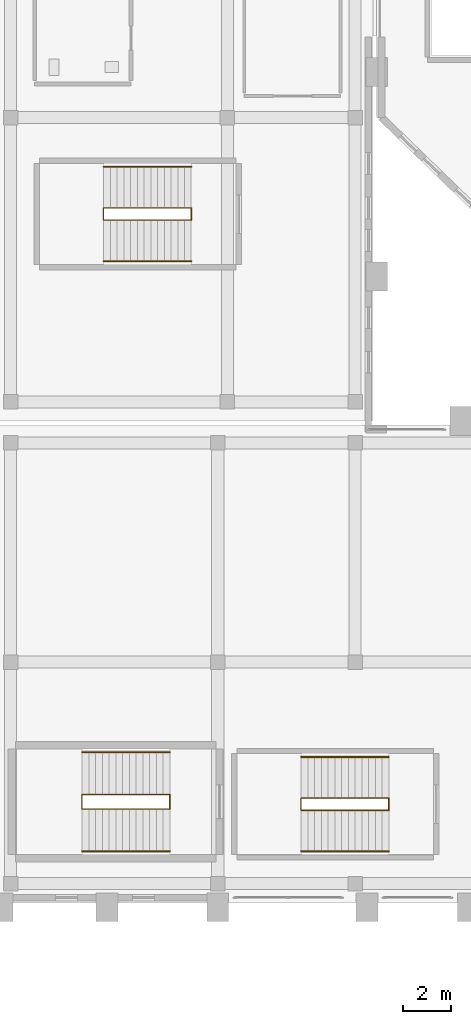
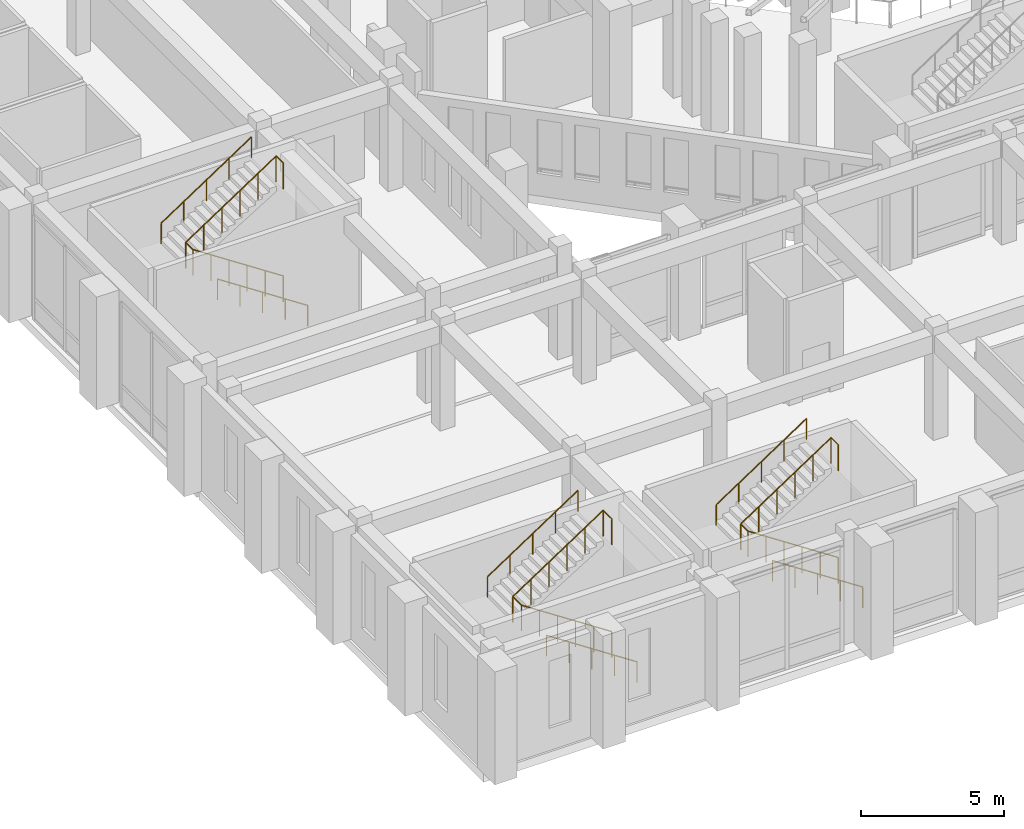
# One storey, part 109 of 126: 12 railings.
"""IFC4 building model written with IfcOpenShell, lengths in metres."""

from ifc_helpers import new_model, si_unit, derived_unit, direction, frame, origin, origin_2d, place, context, subcontext, project, spatial, circle, extrude, material, type_object, element, save


model = new_model("IFC4")

# Units and contexts
model_context = context("Model", 3, precision=1e-05, world=origin(), true_north=direction((0.0, 1.0)))
body_context = subcontext(model_context, "Body", "Model", "MODEL_VIEW")
ifc_project = project(units=[si_unit("LENGTHUNIT", "METRE"), si_unit("AREAUNIT", "SQUARE_METRE"), si_unit("VOLUMEUNIT", "CUBIC_METRE"), si_unit("PLANEANGLEUNIT", "RADIAN"), si_unit("MASSUNIT", "GRAM", prefix="KILO"), derived_unit("THERMALTRANSMITTANCEUNIT", [(si_unit("MASSUNIT", "GRAM", prefix="KILO"), 1), (si_unit("TIMEUNIT", "SECOND"), -3), (si_unit("THERMODYNAMICTEMPERATUREUNIT", "KELVIN"), -1)])], contexts=[model_context])

# Site, building, storey
site_placement = place(None, origin())
site = spatial("IfcSite", under=ifc_project, at=site_placement, CompositionType="ELEMENT")
building_placement = place(site_placement, origin())
building = spatial("IfcBuilding", under=site, at=building_placement, Name="Valcora Ridge Arena", CompositionType="ELEMENT")
storey_placement = place(building_placement, frame((0.0, 0.0, 11.39990234375)))
storey = spatial("IfcBuildingStorey", under=building, at=storey_placement, Name="L02", CompositionType="ELEMENT", Elevation=11.39990234375)

# Railings
ifc_material = material(Name="Galvanized painted steel ASTM A500 Grade B", Category="steel")
railing_type_1 = type_object("IfcRailingType", Name="TY-RAILING-GRD-STAIR-1120", PredefinedType="GUARDRAIL", material=ifc_material)
railing_1_placement = place(storey_placement, frame((7.409912109375, 3.89990234375, 0.0)))
element("IfcRailing", 1, at=railing_1_placement, inside=storey, type_object=railing_type_1, Name="GRD-STAIR-1120 RAL-SG-0065", PredefinedType="GUARDRAIL", context=body_context, shape_type="SweptSolid", body=[
    extrude(circle(Radius=0.02392578125, at=origin_2d()), frame((0.0, 0.0, 1.09619140625), z_axis=(-0.834839479206, 0.0, 0.550493454965), x_axis=(0.0, -1.0, 0.0)), (0.0, 0.0, 1.0), 4.360107421875),
    extrude(circle(Radius=0.02392578125, at=origin_2d()), frame((-3.639892578125, 0.0, 3.49609375), z_axis=(0.0, 1.0, 0.0), x_axis=(-1.0, 0.0, 0.0)), (0.0, 0.0, 1.0), 0.60009765625),
    extrude(circle(Radius=0.02392578125, at=origin_2d()), frame((-3.639892578125, 0.60009765625, 3.49609375), z_axis=(0.834865213223, 0.0, 0.550454426587), x_axis=(0.0, 1.0, 0.0)), (0.0, 0.0, 1.0), 4.35986328125),
    extrude(circle(Radius=0.02099609375, at=origin_2d()), origin(), (0.0, 0.0, 1.0), 1.072021484375),
    extrude(circle(Radius=0.02099609375, at=origin_2d()), frame((-0.72802734375, 0.0, 0.47998046875)), (0.0, 0.0, 1.0), 1.072021484375),
    extrude(circle(Radius=0.02099609375, at=origin_2d()), frame((-1.4560546875, 0.0, 0.9599609375)), (0.0, 0.0, 1.0), 1.072021484375),
    extrude(circle(Radius=0.02099609375, at=origin_2d()), frame((-2.183837890625, 0.0, 1.440185546875)), (0.0, 0.0, 1.0), 1.072021484375),
    extrude(circle(Radius=0.02099609375, at=origin_2d()), frame((-2.911865234375, 0.0, 1.920166015625)), (0.0, 0.0, 1.0), 1.072021484375),
    extrude(circle(Radius=0.02099609375, at=origin_2d()), frame((-3.639892578125, 0.0, 2.400146484375)), (0.0, 0.0, 1.0), 1.072021484375),
    extrude(circle(Radius=0.02099609375, at=origin_2d()), frame((-3.639892578125, 0.60009765625, 2.400146484375)), (0.0, 0.0, 1.0), 1.072021484375),
    extrude(circle(Radius=0.02099609375, at=origin_2d()), frame((-2.911865234375, 0.60009765625, 2.880126953125)), (0.0, 0.0, 1.0), 1.072021484375),
    extrude(circle(Radius=0.02099609375, at=origin_2d()), frame((-2.183837890625, 0.60009765625, 3.360107421875)), (0.0, 0.0, 1.0), 1.072021484375),
    extrude(circle(Radius=0.02099609375, at=origin_2d()), frame((-1.4560546875, 0.60009765625, 3.840087890625)), (0.0, 0.0, 1.0), 1.072021484375),
    extrude(circle(Radius=0.02099609375, at=origin_2d()), frame((-0.72802734375, 0.60009765625, 4.320068359375)), (0.0, 0.0, 1.0), 1.072021484375),
    extrude(circle(Radius=0.02099609375, at=origin_2d()), frame((0.0, 0.60009765625, 4.800048828125)), (0.0, 0.0, 1.0), 1.072021484375),
])
railing_2_placement = place(storey_placement, frame((7.409912109375, 3.89990234375, 4.800048828125)))
element("IfcRailing", 2, at=railing_2_placement, inside=storey, type_object=railing_type_1, Name="GRD-STAIR-1120 RAL-SG-0066", PredefinedType="GUARDRAIL", context=body_context, shape_type="SweptSolid", body=[
    extrude(circle(Radius=0.02392578125, at=origin_2d()), frame((0.0, 0.0, 1.09619140625), z_axis=(0.0, 1.0, 0.0), x_axis=(-1.0, 0.0, 0.0)), (0.0, 0.0, 1.0), 0.60009765625),
    extrude(circle(Radius=0.02099609375, at=origin_2d()), origin(), (0.0, 0.0, 1.0), 1.072021484375),
    extrude(circle(Radius=0.02099609375, at=origin_2d()), frame((0.0, 0.60009765625, 0.0)), (0.0, 0.0, 1.0), 1.072021484375),
])
railing_3_placement = place(storey_placement, frame((16.5, 3.85009765625, 0.0)))
element("IfcRailing", 3, at=railing_3_placement, inside=storey, type_object=railing_type_1, Name="GRD-STAIR-1120 RAL-SG-0133", PredefinedType="GUARDRAIL", context=body_context, shape_type="SweptSolid", body=[
    extrude(circle(Radius=0.02392578125, at=origin_2d()), frame((0.0, 0.0, 1.09619140625), z_axis=(-0.834839479206, 0.0, 0.550493454965), x_axis=(0.0, -1.0, 0.0)), (0.0, 0.0, 1.0), 4.360107421875),
    extrude(circle(Radius=0.02392578125, at=origin_2d()), frame((-3.639892578125, 0.0, 3.49609375), z_axis=(0.0, 1.0, 0.0), x_axis=(-1.0, 0.0, 0.0)), (0.0, 0.0, 1.0), 0.5),
    extrude(circle(Radius=0.02392578125, at=origin_2d()), frame((-3.639892578125, 0.5, 3.49609375), z_axis=(0.834865213223, 0.0, 0.550454426587), x_axis=(0.0, 1.0, 0.0)), (0.0, 0.0, 1.0), 4.35986328125),
    extrude(circle(Radius=0.02099609375, at=origin_2d()), origin(), (0.0, 0.0, 1.0), 1.072021484375),
    extrude(circle(Radius=0.02099609375, at=origin_2d()), frame((-0.72802734375, 0.0, 0.47998046875)), (0.0, 0.0, 1.0), 1.072021484375),
    extrude(circle(Radius=0.02099609375, at=origin_2d()), frame((-1.4560546875, 0.0, 0.9599609375)), (0.0, 0.0, 1.0), 1.072021484375),
    extrude(circle(Radius=0.02099609375, at=origin_2d()), frame((-2.183837890625, 0.0, 1.440185546875)), (0.0, 0.0, 1.0), 1.072021484375),
    extrude(circle(Radius=0.02099609375, at=origin_2d()), frame((-2.911865234375, 0.0, 1.920166015625)), (0.0, 0.0, 1.0), 1.072021484375),
    extrude(circle(Radius=0.02099609375, at=origin_2d()), frame((-3.639892578125, 0.0, 2.400146484375)), (0.0, 0.0, 1.0), 1.072021484375),
    extrude(circle(Radius=0.02099609375, at=origin_2d()), frame((-3.639892578125, 0.5, 2.400146484375)), (0.0, 0.0, 1.0), 1.072021484375),
    extrude(circle(Radius=0.02099609375, at=origin_2d()), frame((-2.911865234375, 0.5, 2.880126953125)), (0.0, 0.0, 1.0), 1.072021484375),
    extrude(circle(Radius=0.02099609375, at=origin_2d()), frame((-2.183837890625, 0.5, 3.360107421875)), (0.0, 0.0, 1.0), 1.072021484375),
    extrude(circle(Radius=0.02099609375, at=origin_2d()), frame((-1.4560546875, 0.5, 3.840087890625)), (0.0, 0.0, 1.0), 1.072021484375),
    extrude(circle(Radius=0.02099609375, at=origin_2d()), frame((-0.72802734375, 0.5, 4.320068359375)), (0.0, 0.0, 1.0), 1.072021484375),
    extrude(circle(Radius=0.02099609375, at=origin_2d()), frame((0.0, 0.5, 4.800048828125)), (0.0, 0.0, 1.0), 1.072021484375),
])
railing_4_placement = place(storey_placement, frame((16.5, 3.85009765625, 4.800048828125)))
element("IfcRailing", 4, at=railing_4_placement, inside=storey, type_object=railing_type_1, Name="GRD-STAIR-1120 RAL-SG-0134", PredefinedType="GUARDRAIL", context=body_context, shape_type="SweptSolid", body=[
    extrude(circle(Radius=0.02392578125, at=origin_2d()), frame((0.0, 0.0, 1.09619140625), z_axis=(0.0, 1.0, 0.0), x_axis=(-1.0, 0.0, 0.0)), (0.0, 0.0, 1.0), 0.5),
    extrude(circle(Radius=0.02099609375, at=origin_2d()), origin(), (0.0, 0.0, 1.0), 1.072021484375),
    extrude(circle(Radius=0.02099609375, at=origin_2d()), frame((0.0, 0.5, 0.0)), (0.0, 0.0, 1.0), 1.072021484375),
])
railing_5_placement = place(storey_placement, frame((8.300048828125, 28.35009765625, 0.0)))
element("IfcRailing", 5, at=railing_5_placement, inside=storey, type_object=railing_type_1, Name="GRD-STAIR-1120 RAL-SG-0145", PredefinedType="GUARDRAIL", context=body_context, shape_type="SweptSolid", body=[
    extrude(circle(Radius=0.02392578125, at=origin_2d()), frame((0.0, 0.0, 1.09619140625), z_axis=(-0.834856447115, 0.0, 0.55046772177), x_axis=(0.0, -1.0, 0.0)), (0.0, 0.0, 1.0), 4.360107421875),
    extrude(circle(Radius=0.02392578125, at=origin_2d()), frame((-3.64013671875, 0.0, 3.49609375), z_axis=(0.0, 1.0, 0.0), x_axis=(-1.0, 0.0, 0.0)), (0.0, 0.0, 1.0), 0.5),
    extrude(circle(Radius=0.02392578125, at=origin_2d()), frame((-3.64013671875, 0.5, 3.49609375), z_axis=(0.83488217925, 0.0, 0.55042869363), x_axis=(0.0, 1.0, 0.0)), (0.0, 0.0, 1.0), 4.360107421875),
    extrude(circle(Radius=0.02099609375, at=origin_2d()), origin(), (0.0, 0.0, 1.0), 1.072021484375),
    extrude(circle(Radius=0.02099609375, at=origin_2d()), frame((-0.72802734375, 0.0, 0.47998046875)), (0.0, 0.0, 1.0), 1.072021484375),
    extrude(circle(Radius=0.02099609375, at=origin_2d()), frame((-1.4560546875, 0.0, 0.9599609375)), (0.0, 0.0, 1.0), 1.072021484375),
    extrude(circle(Radius=0.02099609375, at=origin_2d()), frame((-2.18408203125, 0.0, 1.440185546875)), (0.0, 0.0, 1.0), 1.072021484375),
    extrude(circle(Radius=0.02099609375, at=origin_2d()), frame((-2.912109375, 0.0, 1.920166015625)), (0.0, 0.0, 1.0), 1.072021484375),
    extrude(circle(Radius=0.02099609375, at=origin_2d()), frame((-3.64013671875, 0.0, 2.400146484375)), (0.0, 0.0, 1.0), 1.072021484375),
    extrude(circle(Radius=0.02099609375, at=origin_2d()), frame((-3.64013671875, 0.5, 2.400146484375)), (0.0, 0.0, 1.0), 1.072021484375),
    extrude(circle(Radius=0.02099609375, at=origin_2d()), frame((-2.912109375, 0.5, 2.880126953125)), (0.0, 0.0, 1.0), 1.072021484375),
    extrude(circle(Radius=0.02099609375, at=origin_2d()), frame((-2.18408203125, 0.5, 3.360107421875)), (0.0, 0.0, 1.0), 1.072021484375),
    extrude(circle(Radius=0.02099609375, at=origin_2d()), frame((-1.4560546875, 0.5, 3.840087890625)), (0.0, 0.0, 1.0), 1.072021484375),
    extrude(circle(Radius=0.02099609375, at=origin_2d()), frame((-0.72802734375, 0.5, 4.320068359375)), (0.0, 0.0, 1.0), 1.072021484375),
    extrude(circle(Radius=0.02099609375, at=origin_2d()), frame((0.0, 0.5, 4.800048828125)), (0.0, 0.0, 1.0), 1.072021484375),
])
railing_6_placement = place(storey_placement, frame((8.300048828125, 28.35009765625, 4.800048828125)))
element("IfcRailing", 6, at=railing_6_placement, inside=storey, type_object=railing_type_1, Name="GRD-STAIR-1120 RAL-SG-0146", PredefinedType="GUARDRAIL", context=body_context, shape_type="SweptSolid", body=[
    extrude(circle(Radius=0.02392578125, at=origin_2d()), frame((0.0, 0.0, 1.09619140625), z_axis=(0.0, 1.0, 0.0), x_axis=(-1.0, 0.0, 0.0)), (0.0, 0.0, 1.0), 0.5),
    extrude(circle(Radius=0.02099609375, at=origin_2d()), origin(), (0.0, 0.0, 1.0), 1.072021484375),
    extrude(circle(Radius=0.02099609375, at=origin_2d()), frame((0.0, 0.5, 0.0)), (0.0, 0.0, 1.0), 1.072021484375),
])
railing_type_2 = type_object("IfcRailingType", Name="TY-RAILING-HR-STAIR-900", PredefinedType="HANDRAIL", material=ifc_material)
railing_7_placement = place(storey_placement, frame((7.409912109375, 2.139892578125, 0.0)))
element("IfcRailing", 7, at=railing_7_placement, inside=storey, type_object=railing_type_2, Name="HR-STAIR-900 RAL-SH-0065", PredefinedType="HANDRAIL", context=body_context, shape_type="SweptSolid", body=[
    extrude(circle(Radius=0.02392578125, at=origin_2d()), frame((0.0, 0.0, 0.8759765625), z_axis=(-0.834839479206, 0.0, 0.550493454965), x_axis=(0.0, -1.0, 0.0)), (0.0, 0.0, 1.0), 4.360107421875),
    extrude(circle(Radius=0.02099609375, at=origin_2d()), origin(), (0.0, 0.0, 1.0), 0.851806640625),
    extrude(circle(Radius=0.02099609375, at=origin_2d()), frame((-0.909912109375, 0.0, 0.60009765625)), (0.0, 0.0, 1.0), 0.851806640625),
    extrude(circle(Radius=0.02099609375, at=origin_2d()), frame((-1.81982421875, 0.0, 1.2001953125)), (0.0, 0.0, 1.0), 0.851806640625),
    extrude(circle(Radius=0.02099609375, at=origin_2d()), frame((-2.72998046875, 0.0, 1.800048828125)), (0.0, 0.0, 1.0), 0.851806640625),
    extrude(circle(Radius=0.02099609375, at=origin_2d()), frame((-3.639892578125, 0.0, 2.400146484375)), (0.0, 0.0, 1.0), 0.851806640625),
])
railing_8_placement = place(storey_placement, frame((3.77001953125, 6.260009765625, 2.400146484375)))
element("IfcRailing", 8, at=railing_8_placement, inside=storey, type_object=railing_type_2, Name="HR-STAIR-900 RAL-SH-0066", PredefinedType="HANDRAIL", context=body_context, shape_type="SweptSolid", body=[
    extrude(circle(Radius=0.02392578125, at=origin_2d()), frame((0.0, 0.0, 0.8759765625), z_axis=(0.834865213223, 0.0, 0.550454426587), x_axis=(0.0, 1.0, 0.0)), (0.0, 0.0, 1.0), 4.35986328125),
    extrude(circle(Radius=0.02099609375, at=origin_2d()), origin(), (0.0, 0.0, 1.0), 0.851806640625),
    extrude(circle(Radius=0.02099609375, at=origin_2d()), frame((0.909912109375, 0.0, 0.60009765625)), (0.0, 0.0, 1.0), 0.851806640625),
    extrude(circle(Radius=0.02099609375, at=origin_2d()), frame((1.81982421875, 0.0, 1.199951171875)), (0.0, 0.0, 1.0), 0.851806640625),
    extrude(circle(Radius=0.02099609375, at=origin_2d()), frame((2.72998046875, 0.0, 1.7998046875)), (0.0, 0.0, 1.0), 0.851806640625),
    extrude(circle(Radius=0.02099609375, at=origin_2d()), frame((3.639892578125, 0.0, 2.39990234375)), (0.0, 0.0, 1.0), 0.851806640625),
])
railing_9_placement = place(storey_placement, frame((16.5, 2.139892578125, 0.0)))
element("IfcRailing", 9, at=railing_9_placement, inside=storey, type_object=railing_type_2, Name="HR-STAIR-900 RAL-SH-0133", PredefinedType="HANDRAIL", context=body_context, shape_type="SweptSolid", body=[
    extrude(circle(Radius=0.02392578125, at=origin_2d()), frame((0.0, 0.0, 0.8759765625), z_axis=(-0.834839479206, 0.0, 0.550493454965), x_axis=(0.0, -1.0, 0.0)), (0.0, 0.0, 1.0), 4.360107421875),
    extrude(circle(Radius=0.02099609375, at=origin_2d()), origin(), (0.0, 0.0, 1.0), 0.851806640625),
    extrude(circle(Radius=0.02099609375, at=origin_2d()), frame((-0.909912109375, 0.0, 0.60009765625)), (0.0, 0.0, 1.0), 0.851806640625),
    extrude(circle(Radius=0.02099609375, at=origin_2d()), frame((-1.81982421875, 0.0, 1.2001953125)), (0.0, 0.0, 1.0), 0.851806640625),
    extrude(circle(Radius=0.02099609375, at=origin_2d()), frame((-2.72998046875, 0.0, 1.800048828125)), (0.0, 0.0, 1.0), 0.851806640625),
    extrude(circle(Radius=0.02099609375, at=origin_2d()), frame((-3.639892578125, 0.0, 2.400146484375)), (0.0, 0.0, 1.0), 0.851806640625),
])
railing_10_placement = place(storey_placement, frame((12.860107421875, 6.06005859375, 2.400146484375)))
element("IfcRailing", 10, at=railing_10_placement, inside=storey, type_object=railing_type_2, Name="HR-STAIR-900 RAL-SH-0134", PredefinedType="HANDRAIL", context=body_context, shape_type="SweptSolid", body=[
    extrude(circle(Radius=0.02392578125, at=origin_2d()), frame((0.0, 0.0, 0.8759765625), z_axis=(0.834865213223, 0.0, 0.550454426587), x_axis=(0.0, 1.0, 0.0)), (0.0, 0.0, 1.0), 4.35986328125),
    extrude(circle(Radius=0.02099609375, at=origin_2d()), origin(), (0.0, 0.0, 1.0), 0.851806640625),
    extrude(circle(Radius=0.02099609375, at=origin_2d()), frame((0.909912109375, 0.0, 0.60009765625)), (0.0, 0.0, 1.0), 0.851806640625),
    extrude(circle(Radius=0.02099609375, at=origin_2d()), frame((1.81982421875, 0.0, 1.199951171875)), (0.0, 0.0, 1.0), 0.851806640625),
    extrude(circle(Radius=0.02099609375, at=origin_2d()), frame((2.72998046875, 0.0, 1.7998046875)), (0.0, 0.0, 1.0), 0.851806640625),
    extrude(circle(Radius=0.02099609375, at=origin_2d()), frame((3.639892578125, 0.0, 2.39990234375)), (0.0, 0.0, 1.0), 0.851806640625),
])
railing_11_placement = place(storey_placement, frame((8.300048828125, 26.639892578125, 0.0)))
element("IfcRailing", 11, at=railing_11_placement, inside=storey, type_object=railing_type_2, Name="HR-STAIR-900 RAL-SH-0145", PredefinedType="HANDRAIL", context=body_context, shape_type="SweptSolid", body=[
    extrude(circle(Radius=0.02392578125, at=origin_2d()), frame((0.0, 0.0, 0.8759765625), z_axis=(-0.834856447115, 0.0, 0.55046772177), x_axis=(0.0, -1.0, 0.0)), (0.0, 0.0, 1.0), 4.360107421875),
    extrude(circle(Radius=0.02099609375, at=origin_2d()), origin(), (0.0, 0.0, 1.0), 0.851806640625),
    extrude(circle(Radius=0.02099609375, at=origin_2d()), frame((-0.91015625, 0.0, 0.60009765625)), (0.0, 0.0, 1.0), 0.851806640625),
    extrude(circle(Radius=0.02099609375, at=origin_2d()), frame((-1.820068359375, 0.0, 1.2001953125)), (0.0, 0.0, 1.0), 0.851806640625),
    extrude(circle(Radius=0.02099609375, at=origin_2d()), frame((-2.72998046875, 0.0, 1.800048828125)), (0.0, 0.0, 1.0), 0.851806640625),
    extrude(circle(Radius=0.02099609375, at=origin_2d()), frame((-3.64013671875, 0.0, 2.400146484375)), (0.0, 0.0, 1.0), 0.851806640625),
])
railing_12_placement = place(storey_placement, frame((4.659912109375, 30.56005859375, 2.400146484375)))
element("IfcRailing", 12, at=railing_12_placement, inside=storey, type_object=railing_type_2, Name="HR-STAIR-900 RAL-SH-0146", PredefinedType="HANDRAIL", context=body_context, shape_type="SweptSolid", body=[
    extrude(circle(Radius=0.02392578125, at=origin_2d()), frame((0.0, 0.0, 0.8759765625), z_axis=(0.83488217925, 0.0, 0.55042869363), x_axis=(0.0, 1.0, 0.0)), (0.0, 0.0, 1.0), 4.360107421875),
    extrude(circle(Radius=0.02099609375, at=origin_2d()), origin(), (0.0, 0.0, 1.0), 0.851806640625),
    extrude(circle(Radius=0.02099609375, at=origin_2d()), frame((0.91015625, 0.0, 0.60009765625)), (0.0, 0.0, 1.0), 0.851806640625),
    extrude(circle(Radius=0.02099609375, at=origin_2d()), frame((1.820068359375, 0.0, 1.199951171875)), (0.0, 0.0, 1.0), 0.851806640625),
    extrude(circle(Radius=0.02099609375, at=origin_2d()), frame((2.72998046875, 0.0, 1.7998046875)), (0.0, 0.0, 1.0), 0.851806640625),
    extrude(circle(Radius=0.02099609375, at=origin_2d()), frame((3.64013671875, 0.0, 2.39990234375)), (0.0, 0.0, 1.0), 0.851806640625),
])

save(model, "model.ifc")
